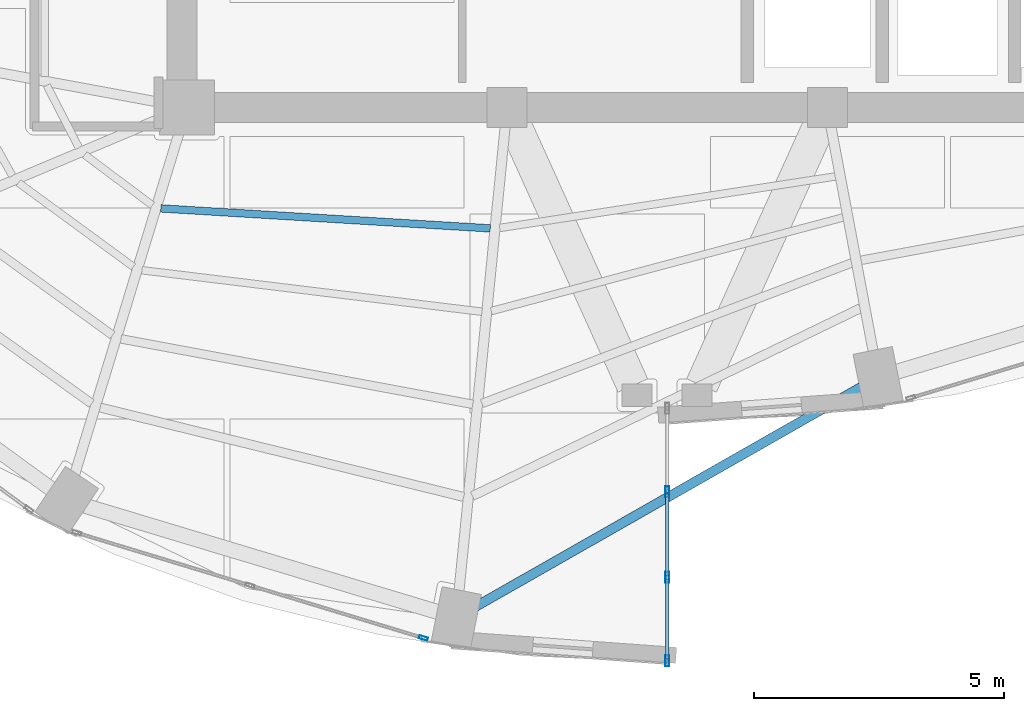
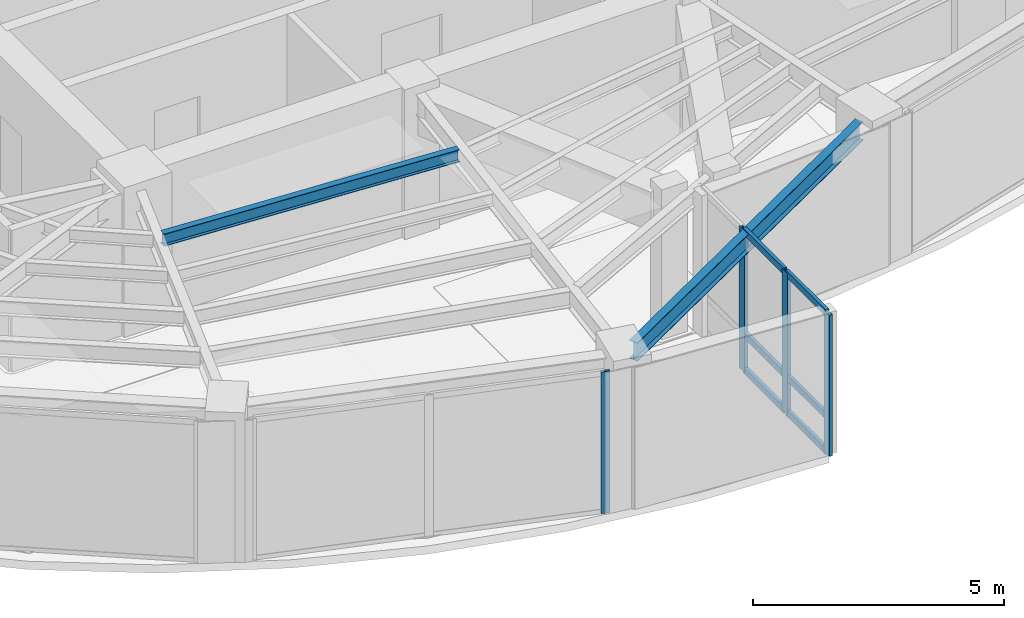
# One storey, part 5 of 23: 10 members, 2 beams, 2 elements without a shape of their own.
"""IFC4 building model written with IfcOpenShell, lengths in metres."""

from ifc_helpers import new_model, si_unit, direction, frame, origin, origin_2d, place, context, subcontext, project, spatial, hollow_rectangle, i_section, extrude, material, layer, layer_set, material_profile, profile_set, type_object, element, aggregate, save


model = new_model("IFC4")

# Units and contexts
model_context = context("Model", 3, precision=1e-05, world=origin(), true_north=direction((0.0, 1.0)))
body_context = subcontext(model_context, "Body", "Model", "MODEL_VIEW")
ifc_project = project(units=[si_unit("LENGTHUNIT", "METRE"), si_unit("AREAUNIT", "SQUARE_METRE"), si_unit("VOLUMEUNIT", "CUBIC_METRE"), si_unit("PLANEANGLEUNIT", "RADIAN"), si_unit("MASSUNIT", "GRAM", prefix="KILO")], contexts=[model_context])

# Site, building, storey
site_placement = place(None, origin())
site = spatial("IfcSite", under=ifc_project, at=site_placement, CompositionType="ELEMENT")
building_placement = place(site_placement, origin())
building = spatial("IfcBuilding", under=site, at=building_placement, Name="Lazwardi Medical Tower", CompositionType="ELEMENT")
storey_placement = place(building_placement, frame((0.0, 0.0, 209.424072265625)))
storey = spatial("IfcBuildingStorey", under=building, at=storey_placement, Name="L54", CompositionType="ELEMENT", Elevation=209.424072265625)

# Beams
ifc_material_1 = material(Name="Steel S355", Category="steel")
ifc_material_profile_1 = material_profile(ifc_material_1, i_section(OverallWidth=0.14990234375, OverallDepth=0.300048828125, WebThickness=0.007080078125, FlangeThickness=0.0107421875, at=origin_2d()), Name="IPE 300")
ifc_profile_set_1 = profile_set([ifc_material_profile_1], Name="Steel S355")
beam_type_1 = type_object("IfcBeamType", Name="BM-SJ-03", PredefinedType="JOIST", material=ifc_profile_set_1)
beam_1_placement = place(storey_placement, frame((25.879150390625, 18.3798828125, 3.2978515625), z_axis=(0.998165515862, -0.060544223044, 0.0), x_axis=(0.060544223044, 0.998165515862, 0.0)))
element("IfcBeam", 1, at=beam_1_placement, inside=storey, type_object=beam_type_1, Name="Secondary joist SJ-03 R4 B15 L54", PredefinedType="JOIST", context=body_context, shape_type="SweptSolid", body=[
    extrude(i_section(OverallWidth=0.14990234375, OverallDepth=0.300048828125, WebThickness=0.007080078125, FlangeThickness=0.0107421875, at=origin_2d()), origin(), (0.0, 0.0, 1.0), 6.59716796875),
])
ifc_material_profile_2 = material_profile(ifc_material_1, i_section(OverallWidth=0.18994140625, OverallDepth=0.449951171875, WebThickness=0.009521484375, FlangeThickness=0.0146484375, at=origin_2d()), Name="IPE 450")
ifc_profile_set_2 = profile_set([ifc_material_profile_2], Name="Steel S355")
beam_type_2 = type_object("IfcBeamType", Name="BM-SP-01", PredefinedType="SPANDREL", material=ifc_profile_set_2)
beam_2_placement = place(storey_placement, frame((32.125, 10.394775390625, 3.222900390625), z_axis=(0.868954808466, 0.494891443494, 0.0), x_axis=(-0.494891443494, 0.868954808466, 0.0)))
element("IfcBeam", 2, at=beam_2_placement, inside=storey, type_object=beam_type_2, Name="Spandrel beam SP-01 B16 L54", PredefinedType="SPANDREL", context=body_context, shape_type="SweptSolid", body=[
    extrude(i_section(OverallWidth=0.18994140625, OverallDepth=0.449951171875, WebThickness=0.009521484375, FlangeThickness=0.0146484375, at=origin_2d()), origin(), (0.0, 0.0, 1.0), 8.918701171875),
])

# Curtain wall, members
ifc_material_2 = material(Name="Anodised bronze aluminium and solar control glazing", Category="aluminium")
ifc_layer_1 = layer(ifc_material_2, 0.2099609375)
ifc_layer_set_1 = layer_set([ifc_layer_1], Name="Anodised bronze aluminium and solar control glazing")
curtain_wall_type_1 = type_object("IfcCurtainWallType", Name="CW-SYS-06", PredefinedType="NOTDEFINED", material=ifc_layer_set_1)
curtain_wall_1_placement = place(storey_placement, origin())
curtain_wall_1 = element("IfcCurtainWall", 3, at=curtain_wall_1_placement, inside=storey, type_object=curtain_wall_type_1, Name="L54 Unitised bronze curtain wall CW-06", PredefinedType="NOTDEFINED")
ifc_material_3 = material(Name="Anodised bronze aluminium", Category="aluminium")
ifc_material_profile_3 = material_profile(ifc_material_3, hollow_rectangle(XDim=0.074951171875, YDim=0.219970703125, WallThickness=0.00390625, at=origin_2d()), Name="ALU-MULLION 220x75x4")
ifc_profile_set_3 = profile_set([ifc_material_profile_3], Name="Anodised bronze aluminium")
member_type_1 = type_object("IfcMemberType", Name="CW-MUL-01", PredefinedType="MULLION", material=ifc_profile_set_3)
member_1_placement = place(storey_placement, frame((36.0, 9.33740234375, 0.0), z_axis=(0.0, 0.0, 1.0), x_axis=(-1.0, 0.0, 0.0)))
member_1 = element("IfcMember", 4, at=member_1_placement, type_object=member_type_1, Name="CW-06 mullion 1", PredefinedType="MULLION", context=body_context, shape_type="SweptSolid", body=[
    extrude(hollow_rectangle(XDim=0.074951171875, YDim=0.219970703125, WallThickness=0.00390625, at=origin_2d()), origin(), (0.0, 0.0, 1.0), 3.447998046875),
])
member_2_placement = place(storey_placement, frame((36.0, 11.006591796875, 0.0), z_axis=(0.0, 0.0, 1.0), x_axis=(-1.0, 0.0, 0.0)))
member_2 = element("IfcMember", 5, at=member_2_placement, type_object=member_type_1, Name="CW-06 mullion 2", PredefinedType="MULLION", context=body_context, shape_type="SweptSolid", body=[
    extrude(hollow_rectangle(XDim=0.074951171875, YDim=0.219970703125, WallThickness=0.00390625, at=origin_2d()), origin(), (0.0, 0.0, 1.0), 3.447998046875),
])
member_3_placement = place(storey_placement, frame((36.0, 12.71337890625, 0.0), z_axis=(0.0, 0.0, 1.0), x_axis=(-1.0, 0.0, 0.0)))
member_3 = element("IfcMember", 6, at=member_3_placement, type_object=member_type_1, Name="CW-06 mullion 3", PredefinedType="MULLION", context=body_context, shape_type="SweptSolid", body=[
    extrude(hollow_rectangle(XDim=0.074951171875, YDim=0.219970703125, WallThickness=0.00390625, at=origin_2d()), origin(), (0.0, 0.0, 1.0), 3.447998046875),
])

# Curtain wall, member
ifc_layer_2 = layer(ifc_material_2, 0.18994140625)
ifc_layer_set_2 = layer_set([ifc_layer_2], Name="Anodised bronze aluminium and solar control glazing")
curtain_wall_type_2 = type_object("IfcCurtainWallType", Name="CW-SYS-04", PredefinedType="NOTDEFINED", material=ifc_layer_set_2)
curtain_wall_2_placement = place(storey_placement, origin())
curtain_wall_2 = element("IfcCurtainWall", 7, at=curtain_wall_2_placement, inside=storey, type_object=curtain_wall_type_2, Name="L54 Unitised bronze curtain wall CW-04", PredefinedType="NOTDEFINED")
ifc_material_profile_4 = material_profile(ifc_material_3, hollow_rectangle(XDim=0.06494140625, YDim=0.179931640625, WallThickness=0.00390625, at=origin_2d()), Name="ALU-MULLION 180x65x4")
ifc_profile_set_4 = profile_set([ifc_material_profile_4], Name="Anodised bronze aluminium")
member_type_2 = type_object("IfcMemberType", Name="CW-MUL-03", PredefinedType="MULLION", material=ifc_profile_set_4)
member_4_placement = place(storey_placement, frame((31.126953125, 9.79296875, 0.0), z_axis=(0.0, 0.0, 1.0), x_axis=(0.290581889515, 0.956850126972, 0.0)))
member_4 = element("IfcMember", 8, at=member_4_placement, type_object=member_type_2, Name="CW-04 mullion 3", PredefinedType="MULLION", context=body_context, shape_type="SweptSolid", body=[
    extrude(hollow_rectangle(XDim=0.06494140625, YDim=0.179931640625, WallThickness=0.00390625, at=origin_2d()), origin(), (0.0, 0.0, 1.0), 3.447998046875),
])
aggregate(curtain_wall_2, [member_4])

# Member
ifc_material_profile_5 = material_profile(ifc_material_3, hollow_rectangle(XDim=0.074951171875, YDim=0.159912109375, WallThickness=0.00390625, at=origin_2d()), Name="ALU-TRANSOM 160x75x4")
ifc_profile_set_5 = profile_set([ifc_material_profile_5], Name="Anodised bronze aluminium")
member_type_3 = type_object("IfcMemberType", Name="CW-TRN-01", PredefinedType="USERDEFINED", material=ifc_profile_set_5)
member_5_placement = place(storey_placement, frame((36.0, 9.375, 0.037353515625), z_axis=(0.0, 1.0, 0.0), x_axis=(-1.0, 0.0, 0.0)))
member_5 = element("IfcMember", 9, at=member_5_placement, type_object=member_type_3, Name="CW-06 transom 1.1", ObjectType="TRANSOM", PredefinedType="USERDEFINED", context=body_context, shape_type="SweptSolid", body=[
    extrude(hollow_rectangle(XDim=0.074951171875, YDim=0.159912109375, WallThickness=0.00390625, at=origin_2d()), origin(), (0.0, 0.0, 1.0), 1.59423828125),
])

member_6_placement = place(storey_placement, frame((36.0, 9.375, 0.89990234375), z_axis=(0.0, 1.0, 0.0), x_axis=(-1.0, 0.0, 0.0)))
member_6 = element("IfcMember", 10, at=member_6_placement, type_object=member_type_3, Name="CW-06 transom 1.2", ObjectType="TRANSOM", PredefinedType="USERDEFINED", context=body_context, shape_type="SweptSolid", body=[
    extrude(hollow_rectangle(XDim=0.074951171875, YDim=0.159912109375, WallThickness=0.00390625, at=origin_2d()), origin(), (0.0, 0.0, 1.0), 1.59423828125),
])

member_7_placement = place(storey_placement, frame((36.0, 9.375, 3.410400390625), z_axis=(0.0, 1.0, 0.0), x_axis=(-1.0, 0.0, 0.0)))
member_7 = element("IfcMember", 11, at=member_7_placement, type_object=member_type_3, Name="CW-06 transom 1.3", ObjectType="TRANSOM", PredefinedType="USERDEFINED", context=body_context, shape_type="SweptSolid", body=[
    extrude(hollow_rectangle(XDim=0.074951171875, YDim=0.159912109375, WallThickness=0.00390625, at=origin_2d()), origin(), (0.0, 0.0, 1.0), 1.59423828125),
])

member_8_placement = place(storey_placement, frame((36.0, 11.044189453125, 0.037353515625), z_axis=(0.0, 1.0, 0.0), x_axis=(-1.0, 0.0, 0.0)))
member_8 = element("IfcMember", 12, at=member_8_placement, type_object=member_type_3, Name="CW-06 transom 2.1", ObjectType="TRANSOM", PredefinedType="USERDEFINED", context=body_context, shape_type="SweptSolid", body=[
    extrude(hollow_rectangle(XDim=0.074951171875, YDim=0.159912109375, WallThickness=0.00390625, at=origin_2d()), origin(), (0.0, 0.0, 1.0), 1.631591796875),
])

member_9_placement = place(storey_placement, frame((36.0, 11.044189453125, 0.89990234375), z_axis=(0.0, 1.0, 0.0), x_axis=(-1.0, 0.0, 0.0)))
member_9 = element("IfcMember", 13, at=member_9_placement, type_object=member_type_3, Name="CW-06 transom 2.2", ObjectType="TRANSOM", PredefinedType="USERDEFINED", context=body_context, shape_type="SweptSolid", body=[
    extrude(hollow_rectangle(XDim=0.074951171875, YDim=0.159912109375, WallThickness=0.00390625, at=origin_2d()), origin(), (0.0, 0.0, 1.0), 1.631591796875),
])

member_10_placement = place(storey_placement, frame((36.0, 11.044189453125, 3.410400390625), z_axis=(0.0, 1.0, 0.0), x_axis=(-1.0, 0.0, 0.0)))
member_10 = element("IfcMember", 14, at=member_10_placement, type_object=member_type_3, Name="CW-06 transom 2.3", ObjectType="TRANSOM", PredefinedType="USERDEFINED", context=body_context, shape_type="SweptSolid", body=[
    extrude(hollow_rectangle(XDim=0.074951171875, YDim=0.159912109375, WallThickness=0.00390625, at=origin_2d()), origin(), (0.0, 0.0, 1.0), 1.631591796875),
])

aggregate(curtain_wall_1, [member_1, member_2, member_3, member_5, member_6, member_7, member_8, member_9, member_10])

save(model, "model.ifc")
